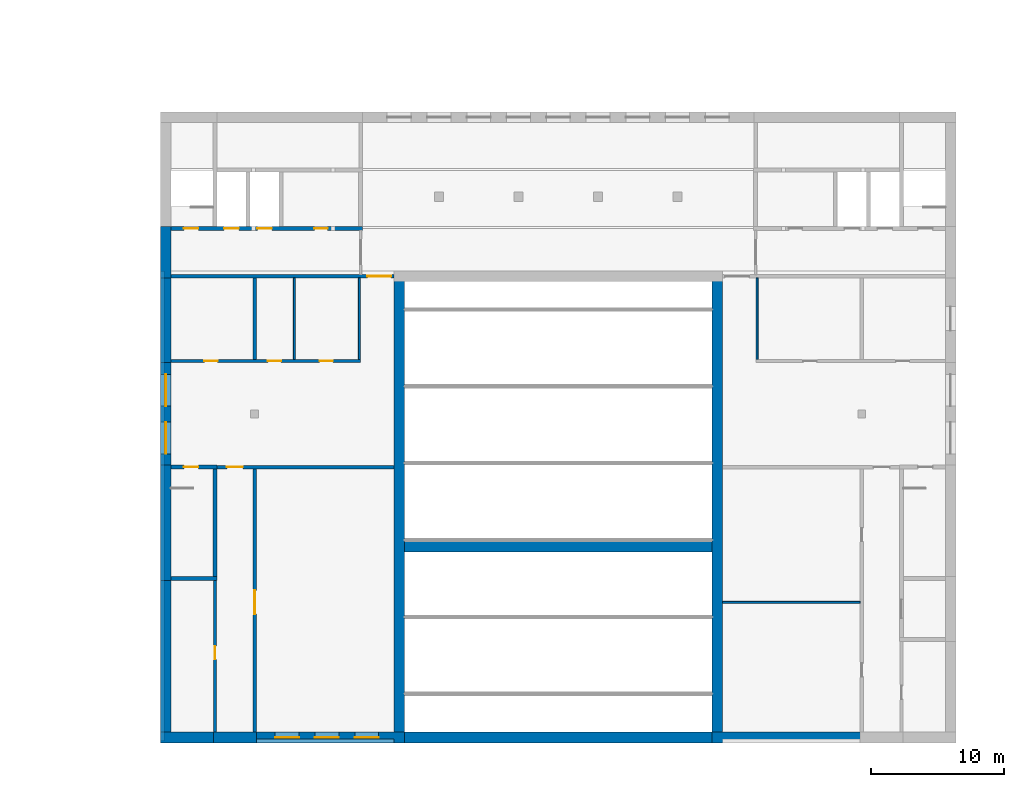
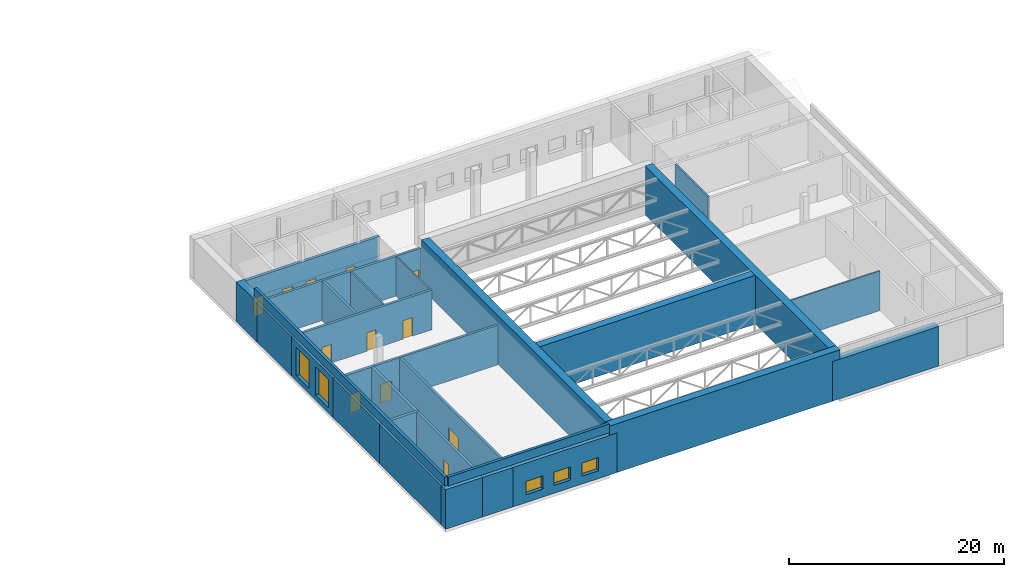
# One storey, part 16 of 35: 29 walls, 12 doors, 5 windows, 17 openings.
"""IFC4 building model written with IfcOpenShell, lengths in metres."""

from ifc_helpers import new_model, si_unit, direction, frame, frame_2d, origin, place, context, subcontext, project, spatial, rectangle, extrude, material, layer, layer_set, type_object, element, fill, save


model = new_model("IFC4")

# Units and contexts
model_context = context("Model", 3, precision=1e-05, world=origin(), true_north=direction((0.0, 1.0)))
body_context = subcontext(model_context, "Body", "Model", "MODEL_VIEW")
ifc_project = project(units=[si_unit("LENGTHUNIT", "METRE"), si_unit("AREAUNIT", "SQUARE_METRE"), si_unit("VOLUMEUNIT", "CUBIC_METRE"), si_unit("PLANEANGLEUNIT", "RADIAN"), si_unit("MASSUNIT", "GRAM", prefix="KILO")], contexts=[model_context])

# Site, building, storey
site_placement = place(None, origin())
site = spatial("IfcSite", under=ifc_project, at=site_placement, CompositionType="ELEMENT")
building_placement = place(site_placement, origin())
building = spatial("IfcBuilding", under=site, at=building_placement, Name="Kiln Ring Residences", CompositionType="ELEMENT")
storey_placement = place(building_placement, frame((0.0, 0.0, 20.89990234375)))
storey = spatial("IfcBuildingStorey", under=building, at=storey_placement, Name="L04", CompositionType="ELEMENT", Elevation=20.89990234375)

# Walls
ifc_material_1 = material(Name="Concrete C40/50", Category="concrete")
ifc_layer_1 = layer(ifc_material_1, 0.800048828125)
ifc_layer_set_1 = layer_set([ifc_layer_1], Name="Hall Board-marked concrete C40/50 hall wall 800")
wall_type_1 = type_object("IfcWallType", Name="Hall Board-marked concrete C40/50 hall wall 800", PredefinedType="SOLIDWALL", material=ifc_layer_set_1)
wall_1_placement = place(storey_placement, frame((-12.39990234375, -159.60009765625, 0.0), z_axis=(0.0, 0.0, 1.0), x_axis=(1.0, 0.0, 0.0)))
element("IfcWall", 1, at=wall_1_placement, inside=storey, type_object=wall_type_1, Name="Hall wall L04 4", PredefinedType="SOLIDWALL", context=body_context, shape_type="SweptSolid", body=[
    extrude(rectangle(XDim=24.7998046875, YDim=0.800048828125, at=frame_2d((12.39990234375, 0.0))), origin(), (0.0, 0.0, 1.0), 5.550048828125),
])
ifc_material_2 = material(Name="Concrete C40/50", Category="concrete")
ifc_layer_2 = layer(ifc_material_2, 0.800048828125)
ifc_layer_set_2 = layer_set([ifc_layer_2], Name="Hall Board-marked concrete C40/50 hall wall 800 internal")
wall_type_2 = type_object("IfcWallType", Name="Hall Board-marked concrete C40/50 hall wall 800 internal", PredefinedType="SOLIDWALL", material=ifc_layer_set_2)
wall_2_placement = place(storey_placement, frame((-11.60009765625, -145.199951171875, 0.0), z_axis=(0.0, 0.0, 1.0), x_axis=(1.0, 0.0, 0.0)))
element("IfcWall", 2, at=wall_2_placement, inside=storey, type_object=wall_type_2, Name="Hall wall L04 12", PredefinedType="SOLIDWALL", context=body_context, shape_type="SweptSolid", body=[
    extrude(rectangle(XDim=23.2001953125, YDim=0.800048828125, at=frame_2d((11.60009765625, 0.0))), origin(), (0.0, 0.0, 1.0), 5.550048828125),
])
for number, where, z_axis, x_axis, name in (
    (3, (-12.0, -159.199951171875, 0.0), (0.0, 0.0, 1.0), (0.0, 1.0, 0.0), "Hall wall L04 49"),
    (4, (12.0, -159.199951171875, 0.0), (0.0, 0.0, 1.0), (0.0, 1.0, 0.0), "Hall wall L04 50"),
):
    element("IfcWall", number, at=place(storey_placement, frame(where, z_axis=z_axis, x_axis=x_axis)), inside=storey, type_object=wall_type_2, Name=name, PredefinedType="SOLIDWALL", context=body_context, shape_type="SweptSolid", body=[
        extrude(rectangle(XDim=34.125, YDim=0.800048828125, at=frame_2d((17.0625, 0.0))), origin(), (0.0, 0.0, 1.0), 5.550048828125),
    ])
ifc_material_3 = material(Name="Concrete C40/50", Category="concrete")
ifc_layer_3 = layer(ifc_material_3, 0.800048828125)
ifc_layer_set_3 = layer_set([ifc_layer_3], Name="Hall Exposed brick-faced reinforced concrete C40/50 wall 800")
wall_type_3 = type_object("IfcWallType", Name="Hall Exposed brick-faced reinforced concrete C40/50 wall 800", PredefinedType="SOLIDWALL", material=ifc_layer_set_3)
wall_3_placement = place(storey_placement, frame((-30.0, -159.60009765625, 0.0), z_axis=(0.0, 0.0, 1.0), x_axis=(1.0, 0.0, 0.0)))
element("IfcWall", 5, at=wall_3_placement, inside=storey, type_object=wall_type_3, Name="Hall wall L04 1", PredefinedType="SOLIDWALL", context=body_context, shape_type="SweptSolid", body=[
    extrude(rectangle(XDim=4.224853515625, YDim=0.800048828125, at=frame_2d((2.1123046875, 0.0))), origin(), (0.0, 0.0, 1.0), 4.5),
])
wall_4_placement = place(storey_placement, frame((-26.02490234375, -159.60009765625, 0.0), z_axis=(0.0, 0.0, 1.0), x_axis=(1.0, 0.0, 0.0)))
element("IfcWall", 6, at=wall_4_placement, inside=storey, type_object=wall_type_3, Name="Hall wall L04 2", PredefinedType="SOLIDWALL", context=body_context, shape_type="SweptSolid", body=[
    extrude(rectangle(XDim=3.249755859375, YDim=0.800048828125, at=frame_2d((1.625, 0.0))), origin(), (0.0, 0.0, 1.0), 4.5),
])

# Wall, openings, windows
wall_5_placement = place(storey_placement, frame((-23.02490234375, -159.60009765625, 0.0), z_axis=(0.0, 0.0, 1.0), x_axis=(1.0, 0.0, 0.0)))
wall_5 = element("IfcWall", 7, at=wall_5_placement, inside=storey, type_object=wall_type_3, Name="Hall wall L04 3", PredefinedType="SOLIDWALL", context=body_context, shape_type="SweptSolid", body=[
    extrude(rectangle(XDim=11.4248046875, YDim=0.800048828125, at=frame_2d((5.71240234375, 0.0))), origin(), (0.0, 0.0, 1.0), 4.5),
])
opening_1_placement = place(wall_5_placement, frame((1.6748046875, 0.0, 0.89990234375)))
opening_1 = element("IfcOpeningElement", 8, at=opening_1_placement, cuts=wall_5, Name="Opening WL04-15", PredefinedType="OPENING", context=body_context, shape_type="SweptSolid", body=[
    extrude(rectangle(XDim=1.800048828125, YDim=1.5, at=frame_2d((0.89990234375, 0.75))), frame((0.0, 0.409912109375, 0.0), z_axis=(0.0, -1.0, 0.0), x_axis=(1.0, 0.0, 0.0)), (0.0, 0.0, 1.0), 0.820068359375),
])
opening_2_placement = place(wall_5_placement, frame((4.6748046875, 0.0, 0.89990234375)))
opening_2 = element("IfcOpeningElement", 9, at=opening_2_placement, cuts=wall_5, Name="Opening WL04-16", PredefinedType="OPENING", context=body_context, shape_type="SweptSolid", body=[
    extrude(rectangle(XDim=1.800048828125, YDim=1.5, at=frame_2d((0.89990234375, 0.75))), frame((0.0, 0.409912109375, 0.0), z_axis=(0.0, -1.0, 0.0), x_axis=(1.0, 0.0, 0.0)), (0.0, 0.0, 1.0), 0.820068359375),
])
opening_3_placement = place(wall_5_placement, frame((7.6748046875, 0.0, 0.89990234375)))
opening_3 = element("IfcOpeningElement", 10, at=opening_3_placement, cuts=wall_5, Name="Opening WL04-17", PredefinedType="OPENING", context=body_context, shape_type="SweptSolid", body=[
    extrude(rectangle(XDim=1.800048828125, YDim=1.5, at=frame_2d((0.89990234375, 0.75))), frame((0.0, 0.409912109375, 0.0), z_axis=(0.0, -1.0, 0.0), x_axis=(1.0, 0.0, 0.0)), (0.0, 0.0, 1.0), 0.820068359375),
])
ifc_material_4 = material(Name="Glazing in aluminium frame", Category="aluminium")
window_type_1 = type_object("IfcWindowType", Name="Hall room window 1800 x 1500", PartitioningType="DOUBLE_PANEL_VERTICAL", PredefinedType="WINDOW", material=ifc_material_4)
window_1_placement = place(opening_1_placement, origin())
window_1 = element("IfcWindow", 11, at=window_1_placement, inside=storey, type_object=window_type_1, Name="Hall window L04-15", OverallHeight=1.5, OverallWidth=1.800048828125, PartitioningType="SINGLE_PANEL", PredefinedType="WINDOW", context=body_context, shape_type="SweptSolid", body=[
    extrude(rectangle(XDim=1.800048828125, YDim=1.5, at=frame_2d((0.89990234375, 0.75))), frame((0.0, 0.030029296875, 0.0), z_axis=(0.0, -1.0, 0.0), x_axis=(1.0, 0.0, 0.0)), (0.0, 0.0, 1.0), 0.06005859375),
])
fill(opening_1, window_1)
window_2_placement = place(opening_2_placement, origin())
window_2 = element("IfcWindow", 12, at=window_2_placement, inside=storey, type_object=window_type_1, Name="Hall window L04-16", OverallHeight=1.5, OverallWidth=1.800048828125, PartitioningType="SINGLE_PANEL", PredefinedType="WINDOW", context=body_context, shape_type="SweptSolid", body=[
    extrude(rectangle(XDim=1.800048828125, YDim=1.5, at=frame_2d((0.89990234375, 0.75))), frame((0.0, 0.030029296875, 0.0), z_axis=(0.0, -1.0, 0.0), x_axis=(1.0, 0.0, 0.0)), (0.0, 0.0, 1.0), 0.06005859375),
])
fill(opening_2, window_2)
window_3_placement = place(opening_3_placement, origin())
window_3 = element("IfcWindow", 13, at=window_3_placement, inside=storey, type_object=window_type_1, Name="Hall window L04-17", OverallHeight=1.5, OverallWidth=1.800048828125, PartitioningType="SINGLE_PANEL", PredefinedType="WINDOW", context=body_context, shape_type="SweptSolid", body=[
    extrude(rectangle(XDim=1.800048828125, YDim=1.5, at=frame_2d((0.89990234375, 0.75))), frame((0.0, 0.030029296875, 0.0), z_axis=(0.0, -1.0, 0.0), x_axis=(1.0, 0.0, 0.0)), (0.0, 0.0, 1.0), 0.06005859375),
])
fill(opening_3, window_3)

# Walls
wall_6_placement = place(storey_placement, frame((11.60009765625, -159.60009765625, 0.0), z_axis=(0.0, 0.0, 1.0), x_axis=(1.0, 0.0, 0.0)))
element("IfcWall", 14, at=wall_6_placement, inside=storey, type_object=wall_type_3, Name="Hall wall L04 5", PredefinedType="SOLIDWALL", context=body_context, shape_type="SweptSolid", body=[
    extrude(rectangle(XDim=11.4248046875, YDim=0.800048828125, at=frame_2d((5.71240234375, 0.0))), origin(), (0.0, 0.0, 1.0), 4.5),
])
wall_7_placement = place(storey_placement, frame((-29.60009765625, -159.199951171875, 0.0), z_axis=(0.0, 0.0, 1.0), x_axis=(0.0, 1.0, 0.0)))
element("IfcWall", 15, at=wall_7_placement, inside=storey, type_object=wall_type_3, Name="Hall wall L04 31", PredefinedType="SOLIDWALL", context=body_context, shape_type="SweptSolid", body=[
    extrude(rectangle(XDim=11.749755859375, YDim=0.800048828125, at=frame_2d((5.875, 0.0))), origin(), (0.0, 0.0, 1.0), 4.5),
])
wall_8_placement = place(storey_placement, frame((-29.60009765625, -147.75, 0.0), z_axis=(0.0, 0.0, 1.0), x_axis=(0.0, 1.0, 0.0)))
element("IfcWall", 16, at=wall_8_placement, inside=storey, type_object=wall_type_3, Name="Hall wall L04 32", PredefinedType="SOLIDWALL", context=body_context, shape_type="SweptSolid", body=[
    extrude(rectangle(XDim=8.699951171875, YDim=0.800048828125, at=frame_2d((4.35009765625, 0.0))), origin(), (0.0, 0.0, 1.0), 4.5),
])

# Wall, openings, windows
wall_9_placement = place(storey_placement, frame((-29.60009765625, -139.349853515625, 0.0), z_axis=(0.0, 0.0, 1.0), x_axis=(0.0, 1.0, 0.0)))
wall_9 = element("IfcWall", 17, at=wall_9_placement, inside=storey, type_object=wall_type_3, Name="Hall wall L04 33", PredefinedType="SOLIDWALL", context=body_context, shape_type="SweptSolid", body=[
    extrude(rectangle(XDim=8.274658203125, YDim=0.800048828125, at=frame_2d((4.13720703125, 0.0))), origin(), (0.0, 0.0, 1.0), 4.5),
])
opening_4_placement = place(wall_9_placement, frame((1.14990234375, 0.0, 0.60009765625)))
opening_4 = element("IfcOpeningElement", 18, at=opening_4_placement, cuts=wall_9, Name="Opening WL04-10", PredefinedType="OPENING", context=body_context, shape_type="SweptSolid", body=[
    extrude(rectangle(XDim=2.39990234375, YDim=3.199951171875, at=frame_2d((1.199951171875, 1.60009765625))), frame((0.0, 0.409912109375, 0.0), z_axis=(0.0, -1.0, 0.0), x_axis=(1.0, 0.0, 0.0)), (0.0, 0.0, 1.0), 0.820068359375),
])
opening_5_placement = place(wall_9_placement, frame((4.75, 0.0, 0.60009765625)))
opening_5 = element("IfcOpeningElement", 19, at=opening_5_placement, cuts=wall_9, Name="Opening WL04-11", PredefinedType="OPENING", context=body_context, shape_type="SweptSolid", body=[
    extrude(rectangle(XDim=2.39990234375, YDim=3.199951171875, at=frame_2d((1.199951171875, 1.60009765625))), frame((0.0, 0.409912109375, 0.0), z_axis=(0.0, -1.0, 0.0), x_axis=(1.0, 0.0, 0.0)), (0.0, 0.0, 1.0), 0.820068359375),
])
ifc_material_5 = material(Name="Glazing in aluminium frame", Category="aluminium")
window_type_2 = type_object("IfcWindowType", Name="Hall foyer window 2400 x 3200", PartitioningType="SINGLE_PANEL", PredefinedType="WINDOW", material=ifc_material_5)
window_4_placement = place(opening_4_placement, origin())
window_4 = element("IfcWindow", 20, at=window_4_placement, inside=storey, type_object=window_type_2, Name="Hall window L04-10", OverallHeight=3.199951171875, OverallWidth=2.39990234375, PartitioningType="SINGLE_PANEL", PredefinedType="WINDOW", context=body_context, shape_type="SweptSolid", body=[
    extrude(rectangle(XDim=2.39990234375, YDim=3.199951171875, at=frame_2d((1.199951171875, 1.60009765625))), frame((0.0, 0.030029296875, 0.0), z_axis=(0.0, -1.0, 0.0), x_axis=(1.0, 0.0, 0.0)), (0.0, 0.0, 1.0), 0.06005859375),
])
fill(opening_4, window_4)
window_5_placement = place(opening_5_placement, origin())
window_5 = element("IfcWindow", 21, at=window_5_placement, inside=storey, type_object=window_type_2, Name="Hall window L04-11", OverallHeight=3.199951171875, OverallWidth=2.39990234375, PartitioningType="SINGLE_PANEL", PredefinedType="WINDOW", context=body_context, shape_type="SweptSolid", body=[
    extrude(rectangle(XDim=2.39990234375, YDim=3.199951171875, at=frame_2d((1.199951171875, 1.60009765625))), frame((0.0, 0.030029296875, 0.0), z_axis=(0.0, -1.0, 0.0), x_axis=(1.0, 0.0, 0.0)), (0.0, 0.0, 1.0), 0.06005859375),
])
fill(opening_5, window_5)

# Walls
wall_10_placement = place(storey_placement, frame((-29.60009765625, -131.324951171875, 0.0), z_axis=(0.0, 0.0, 1.0), x_axis=(0.0, 1.0, 0.0)))
element("IfcWall", 22, at=wall_10_placement, inside=storey, type_object=wall_type_3, Name="Hall wall L04 34", PredefinedType="SOLIDWALL", context=body_context, shape_type="SweptSolid", body=[
    extrude(rectangle(XDim=6.64990234375, YDim=0.800048828125, at=frame_2d((3.324951171875, 0.0))), origin(), (0.0, 0.0, 1.0), 4.5),
])
wall_11_placement = place(storey_placement, frame((-29.60009765625, -124.9248046875, 0.0), z_axis=(0.0, 0.0, 1.0), x_axis=(0.0, 1.0, 0.0)))
element("IfcWall", 23, at=wall_11_placement, inside=storey, type_object=wall_type_3, Name="Hall wall L04 35", PredefinedType="SOLIDWALL", context=body_context, shape_type="SweptSolid", body=[
    extrude(rectangle(XDim=3.874755859375, YDim=0.800048828125, at=frame_2d((1.9375, 0.0))), origin(), (0.0, 0.0, 1.0), 4.5),
])
ifc_material_6 = material(Name="Concrete C40/50", Category="concrete")
ifc_layer_4 = layer(ifc_material_6, 0.300048828125)
ifc_layer_set_4 = layer_set([ifc_layer_4], Name="Hall Reinforced concrete C40/50 core wall 300")
wall_type_4 = type_object("IfcWallType", Name="Hall Reinforced concrete C40/50 core wall 300", PredefinedType="SOLIDWALL", material=ifc_layer_set_4)
wall_12_placement = place(storey_placement, frame((-29.199951171875, -147.60009765625, 0.0), z_axis=(0.0, 0.0, 1.0), x_axis=(1.0, 0.0, 0.0)))
element("IfcWall", 24, at=wall_12_placement, inside=storey, type_object=wall_type_4, Name="Hall wall L04 10", PredefinedType="SOLIDWALL", context=body_context, shape_type="SweptSolid", body=[
    extrude(rectangle(XDim=3.449951171875, YDim=0.300048828125, at=frame_2d((1.72509765625, 0.0))), origin(), (0.0, 0.0, 1.0), 4.5),
])

# Wall, opening, door
wall_13_placement = place(storey_placement, frame((-29.199951171875, -139.199951171875, 0.0), z_axis=(0.0, 0.0, 1.0), x_axis=(1.0, 0.0, 0.0)))
wall_13 = element("IfcWall", 25, at=wall_13_placement, inside=storey, type_object=wall_type_4, Name="Hall wall L04 13", PredefinedType="SOLIDWALL", context=body_context, shape_type="SweptSolid", body=[
    extrude(rectangle(XDim=3.449951171875, YDim=0.300048828125, at=frame_2d((1.72509765625, 0.0))), origin(), (0.0, 0.0, 1.0), 4.5),
])
opening_6_placement = place(wall_13_placement, frame((0.949951171875, 0.0, 0.0)))
opening_6 = element("IfcOpeningElement", 26, at=opening_6_placement, cuts=wall_13, Name="Opening L04-08", PredefinedType="OPENING", context=body_context, shape_type="SweptSolid", body=[
    extrude(rectangle(XDim=1.10009765625, YDim=2.10009765625, at=frame_2d((0.550048828125, 1.050048828125))), frame((0.0, 0.159912109375, 0.0), z_axis=(0.0, -1.0, 0.0), x_axis=(1.0, 0.0, 0.0)), (0.0, 0.0, 1.0), 0.320068359375),
])
ifc_material_7 = material(Name="Steel door leaf", Category="steel")
door_type_1 = type_object("IfcDoorType", Name="Hall Stair door 1100 x 2100", OperationType="SINGLE_SWING_LEFT", PredefinedType="DOOR", material=ifc_material_7)
door_1_placement = place(opening_6_placement, origin())
door_1 = element("IfcDoor", 27, at=door_1_placement, inside=storey, type_object=door_type_1, Name="Hall door L04-08", OperationType="SINGLE_SWING_RIGHT", OverallHeight=2.10009765625, OverallWidth=1.10009765625, PredefinedType="DOOR", context=body_context, shape_type="SweptSolid", body=[
    extrude(rectangle(XDim=1.10009765625, YDim=2.10009765625, at=frame_2d((0.550048828125, 1.050048828125))), frame((0.0, 0.02490234375, 0.0), z_axis=(0.0, -1.0, 0.0), x_axis=(1.0, 0.0, 0.0)), (0.0, 0.0, 1.0), 0.050048828125),
])
fill(opening_6, door_1)

# Wall, openings, doors
wall_14_placement = place(storey_placement, frame((-29.199951171875, -121.199951171875, 0.0), z_axis=(0.0, 0.0, 1.0), x_axis=(1.0, 0.0, 0.0)))
wall_14 = element("IfcWall", 28, at=wall_14_placement, inside=storey, type_object=wall_type_4, Name="Hall wall L04 22", PredefinedType="SOLIDWALL", context=body_context, shape_type="SweptSolid", body=[
    extrude(rectangle(XDim=14.449951171875, YDim=0.300048828125, at=frame_2d((7.22509765625, 0.0))), origin(), (0.0, 0.0, 1.0), 4.5),
])
opening_7_placement = place(wall_14_placement, frame((4.0, 0.0, 0.0)))
opening_7 = element("IfcOpeningElement", 29, at=opening_7_placement, cuts=wall_14, Name="Opening L04-01", PredefinedType="OPENING", context=body_context, shape_type="SweptSolid", body=[
    extrude(rectangle(XDim=1.10009765625, YDim=2.10009765625, at=frame_2d((0.550048828125, 1.050048828125))), frame((0.0, 0.159912109375, 0.0), z_axis=(0.0, -1.0, 0.0), x_axis=(1.0, 0.0, 0.0)), (0.0, 0.0, 1.0), 0.320068359375),
])
opening_8_placement = place(wall_14_placement, frame((6.5, 0.0, 0.0)))
opening_8 = element("IfcOpeningElement", 30, at=opening_8_placement, cuts=wall_14, Name="Opening L04-02", PredefinedType="OPENING", context=body_context, shape_type="SweptSolid", body=[
    extrude(rectangle(XDim=1.10009765625, YDim=2.10009765625, at=frame_2d((0.550048828125, 1.050048828125))), frame((0.0, 0.159912109375, 0.0), z_axis=(0.0, -1.0, 0.0), x_axis=(1.0, 0.0, 0.0)), (0.0, 0.0, 1.0), 0.320068359375),
])
opening_9_placement = place(wall_14_placement, frame((0.949951171875, 0.0, 0.0)))
opening_9 = element("IfcOpeningElement", 31, at=opening_9_placement, cuts=wall_14, Name="Opening L04-06", PredefinedType="OPENING", context=body_context, shape_type="SweptSolid", body=[
    extrude(rectangle(XDim=1.10009765625, YDim=2.10009765625, at=frame_2d((0.550048828125, 1.050048828125))), frame((0.0, 0.159912109375, 0.0), z_axis=(0.0, -1.0, 0.0), x_axis=(1.0, 0.0, 0.0)), (0.0, 0.0, 1.0), 0.320068359375),
])
opening_10_placement = place(wall_14_placement, frame((10.800048828125, 0.0, 0.0)))
opening_10 = element("IfcOpeningElement", 32, at=opening_10_placement, cuts=wall_14, Name="Opening L04-10", PredefinedType="OPENING", context=body_context, shape_type="SweptSolid", body=[
    extrude(rectangle(XDim=1.0, YDim=2.10009765625, at=frame_2d((0.5, 1.050048828125))), frame((0.0, 0.159912109375, 0.0), z_axis=(0.0, -1.0, 0.0), x_axis=(1.0, 0.0, 0.0)), (0.0, 0.0, 1.0), 0.320068359375),
])
ifc_material_8 = material(Name="Steel door leaf", Category="steel")
door_type_2 = type_object("IfcDoorType", Name="Hall Lift landing door 1100 x 2100", OperationType="DOUBLE_DOOR_SLIDING", PredefinedType="DOOR", material=ifc_material_8)
door_2_placement = place(opening_7_placement, origin())
door_2 = element("IfcDoor", 33, at=door_2_placement, inside=storey, type_object=door_type_2, Name="Hall door L04-01", OperationType="DOUBLE_DOOR_SLIDING", OverallHeight=2.10009765625, OverallWidth=1.10009765625, PredefinedType="DOOR", context=body_context, shape_type="SweptSolid", body=[
    extrude(rectangle(XDim=1.10009765625, YDim=2.10009765625, at=frame_2d((0.550048828125, 1.050048828125))), frame((0.0, 0.02490234375, 0.0), z_axis=(0.0, -1.0, 0.0), x_axis=(1.0, 0.0, 0.0)), (0.0, 0.0, 1.0), 0.050048828125),
])
fill(opening_7, door_2)
door_3_placement = place(opening_8_placement, origin())
door_3 = element("IfcDoor", 34, at=door_3_placement, inside=storey, type_object=door_type_2, Name="Hall door L04-02", OperationType="DOUBLE_DOOR_SLIDING", OverallHeight=2.10009765625, OverallWidth=1.10009765625, PredefinedType="DOOR", context=body_context, shape_type="SweptSolid", body=[
    extrude(rectangle(XDim=1.10009765625, YDim=2.10009765625, at=frame_2d((0.550048828125, 1.050048828125))), frame((0.0, 0.02490234375, 0.0), z_axis=(0.0, -1.0, 0.0), x_axis=(1.0, 0.0, 0.0)), (0.0, 0.0, 1.0), 0.050048828125),
])
fill(opening_8, door_3)
ifc_material_9 = material(Name="Steel door leaf", Category="steel")
door_type_3 = type_object("IfcDoorType", Name="Hall Single door 1000 x 2100", OperationType="SINGLE_SWING_LEFT", PredefinedType="DOOR", material=ifc_material_9)
door_4_placement = place(opening_10_placement, origin())
door_4 = element("IfcDoor", 35, at=door_4_placement, inside=storey, type_object=door_type_3, Name="Hall door L04-10", OperationType="SINGLE_SWING_RIGHT", OverallHeight=2.10009765625, OverallWidth=1.0, PredefinedType="DOOR", context=body_context, shape_type="SweptSolid", body=[
    extrude(rectangle(XDim=1.0, YDim=2.10009765625, at=frame_2d((0.5, 1.050048828125))), frame((0.0, 0.02490234375, 0.0), z_axis=(0.0, -1.0, 0.0), x_axis=(1.0, 0.0, 0.0)), (0.0, 0.0, 1.0), 0.050048828125),
])
fill(opening_10, door_4)
door_5_placement = place(opening_9_placement, origin())
door_5 = element("IfcDoor", 36, at=door_5_placement, inside=storey, type_object=door_type_1, Name="Hall door L04-06", OperationType="SINGLE_SWING_RIGHT", OverallHeight=2.10009765625, OverallWidth=1.10009765625, PredefinedType="DOOR", context=body_context, shape_type="SweptSolid", body=[
    extrude(rectangle(XDim=1.10009765625, YDim=2.10009765625, at=frame_2d((0.550048828125, 1.050048828125))), frame((0.0, 0.02490234375, 0.0), z_axis=(0.0, -1.0, 0.0), x_axis=(1.0, 0.0, 0.0)), (0.0, 0.0, 1.0), 0.050048828125),
])
fill(opening_9, door_5)

# Wall
wall_15_placement = place(storey_placement, frame((-25.89990234375, -147.449951171875, 0.0), z_axis=(0.0, 0.0, 1.0), x_axis=(0.0, 1.0, 0.0)))
element("IfcWall", 37, at=wall_15_placement, inside=storey, type_object=wall_type_4, Name="Hall wall L04 38", PredefinedType="SOLIDWALL", context=body_context, shape_type="SweptSolid", body=[
    extrude(rectangle(XDim=8.224853515625, YDim=0.300048828125, at=frame_2d((4.1123046875, 0.0))), origin(), (0.0, 0.0, 1.0), 4.5),
])

# Wall, opening, door
ifc_material_10 = material(Name="Concrete C40/50", Category="concrete")
ifc_layer_5 = layer(ifc_material_10, 0.25)
ifc_layer_set_5 = layer_set([ifc_layer_5], Name="Hall Reinforced concrete C40/50 wall 250")
wall_type_5 = type_object("IfcWallType", Name="Hall Reinforced concrete C40/50 wall 250", PredefinedType="SOLIDWALL", material=ifc_layer_set_5)
wall_16_placement = place(storey_placement, frame((-25.75, -139.199951171875, 0.0), z_axis=(0.0, 0.0, 1.0), x_axis=(1.0, 0.0, 0.0)))
wall_16 = element("IfcWall", 38, at=wall_16_placement, inside=storey, type_object=wall_type_5, Name="Hall wall L04 14", PredefinedType="SOLIDWALL", context=body_context, shape_type="SweptSolid", body=[
    extrude(rectangle(XDim=13.35009765625, YDim=0.25, at=frame_2d((6.675048828125, 0.0))), origin(), (0.0, 0.0, 1.0), 4.5),
])
opening_11_placement = place(wall_16_placement, frame((0.75, 0.0, 0.0)))
opening_11 = element("IfcOpeningElement", 39, at=opening_11_placement, cuts=wall_16, Name="Opening L04-19", PredefinedType="OPENING", context=body_context, shape_type="SweptSolid", body=[
    extrude(rectangle(XDim=1.199951171875, YDim=2.10009765625, at=frame_2d((0.60009765625, 1.050048828125))), frame((0.0, 0.135009765625, 0.0), z_axis=(0.0, -1.0, 0.0), x_axis=(1.0, 0.0, 0.0)), (0.0, 0.0, 1.0), 0.27001953125),
])
ifc_material_11 = material(Name="Steel door leaf", Category="steel")
door_type_4 = type_object("IfcDoorType", Name="Hall Single door 1200 x 2100", OperationType="SINGLE_SWING_LEFT", PredefinedType="DOOR", material=ifc_material_11)
door_6_placement = place(opening_11_placement, origin())
door_6 = element("IfcDoor", 40, at=door_6_placement, inside=storey, type_object=door_type_4, Name="Hall door L04-19", OperationType="SINGLE_SWING_LEFT", OverallHeight=2.10009765625, OverallWidth=1.199951171875, PredefinedType="DOOR", context=body_context, shape_type="SweptSolid", body=[
    extrude(rectangle(XDim=1.199951171875, YDim=2.10009765625, at=frame_2d((0.60009765625, 1.050048828125))), frame((0.0, 0.02490234375, 0.0), z_axis=(0.0, -1.0, 0.0), x_axis=(1.0, 0.0, 0.0)), (0.0, 0.0, 1.0), 0.050048828125),
])
fill(opening_11, door_6)

# Wall, openings, doors
wall_17_placement = place(storey_placement, frame((-29.199951171875, -131.199951171875, 0.0), z_axis=(0.0, 0.0, 1.0), x_axis=(1.0, 0.0, 0.0)))
wall_17 = element("IfcWall", 41, at=wall_17_placement, inside=storey, type_object=wall_type_5, Name="Hall wall L04 17", PredefinedType="SOLIDWALL", context=body_context, shape_type="SweptSolid", body=[
    extrude(rectangle(XDim=14.27490234375, YDim=0.25, at=frame_2d((7.137451171875, 0.0))), origin(), (0.0, 0.0, 1.0), 4.5),
])
opening_12_placement = place(wall_17_placement, frame((2.5, 0.0, 0.0)))
opening_12 = element("IfcOpeningElement", 42, at=opening_12_placement, cuts=wall_17, Name="Opening L04-16", PredefinedType="OPENING", context=body_context, shape_type="SweptSolid", body=[
    extrude(rectangle(XDim=1.0, YDim=2.10009765625, at=frame_2d((0.5, 1.050048828125))), frame((0.0, 0.135009765625, 0.0), z_axis=(0.0, -1.0, 0.0), x_axis=(1.0, 0.0, 0.0)), (0.0, 0.0, 1.0), 0.27001953125),
])
opening_13_placement = place(wall_17_placement, frame((7.300048828125, 0.0, 0.0)))
opening_13 = element("IfcOpeningElement", 43, at=opening_13_placement, cuts=wall_17, Name="Opening L04-17", PredefinedType="OPENING", context=body_context, shape_type="SweptSolid", body=[
    extrude(rectangle(XDim=1.0, YDim=2.10009765625, at=frame_2d((0.5, 1.050048828125))), frame((0.0, 0.135009765625, 0.0), z_axis=(0.0, -1.0, 0.0), x_axis=(1.0, 0.0, 0.0)), (0.0, 0.0, 1.0), 0.27001953125),
])
opening_14_placement = place(wall_17_placement, frame((11.199951171875, 0.0, 0.0)))
opening_14 = element("IfcOpeningElement", 44, at=opening_14_placement, cuts=wall_17, Name="Opening L04-18", PredefinedType="OPENING", context=body_context, shape_type="SweptSolid", body=[
    extrude(rectangle(XDim=1.0, YDim=2.10009765625, at=frame_2d((0.5, 1.050048828125))), frame((0.0, 0.135009765625, 0.0), z_axis=(0.0, -1.0, 0.0), x_axis=(1.0, 0.0, 0.0)), (0.0, 0.0, 1.0), 0.27001953125),
])
door_7_placement = place(opening_12_placement, origin())
door_7 = element("IfcDoor", 45, at=door_7_placement, inside=storey, type_object=door_type_3, Name="Hall door L04-16", OperationType="SINGLE_SWING_RIGHT", OverallHeight=2.10009765625, OverallWidth=1.0, PredefinedType="DOOR", context=body_context, shape_type="SweptSolid", body=[
    extrude(rectangle(XDim=1.0, YDim=2.10009765625, at=frame_2d((0.5, 1.050048828125))), frame((0.0, 0.02490234375, 0.0), z_axis=(0.0, -1.0, 0.0), x_axis=(1.0, 0.0, 0.0)), (0.0, 0.0, 1.0), 0.050048828125),
])
fill(opening_12, door_7)
door_8_placement = place(opening_13_placement, origin())
door_8 = element("IfcDoor", 46, at=door_8_placement, inside=storey, type_object=door_type_3, Name="Hall door L04-17", OperationType="SINGLE_SWING_LEFT", OverallHeight=2.10009765625, OverallWidth=1.0, PredefinedType="DOOR", context=body_context, shape_type="SweptSolid", body=[
    extrude(rectangle(XDim=1.0, YDim=2.10009765625, at=frame_2d((0.5, 1.050048828125))), frame((0.0, 0.02490234375, 0.0), z_axis=(0.0, -1.0, 0.0), x_axis=(1.0, 0.0, 0.0)), (0.0, 0.0, 1.0), 0.050048828125),
])
fill(opening_13, door_8)
door_9_placement = place(opening_14_placement, origin())
door_9 = element("IfcDoor", 47, at=door_9_placement, inside=storey, type_object=door_type_3, Name="Hall door L04-18", OperationType="SINGLE_SWING_RIGHT", OverallHeight=2.10009765625, OverallWidth=1.0, PredefinedType="DOOR", context=body_context, shape_type="SweptSolid", body=[
    extrude(rectangle(XDim=1.0, YDim=2.10009765625, at=frame_2d((0.5, 1.050048828125))), frame((0.0, 0.02490234375, 0.0), z_axis=(0.0, -1.0, 0.0), x_axis=(1.0, 0.0, 0.0)), (0.0, 0.0, 1.0), 0.050048828125),
])
fill(opening_14, door_9)

# Wall, opening, door
wall_18_placement = place(storey_placement, frame((-29.199951171875, -124.800048828125, 0.0), z_axis=(0.0, 0.0, 1.0), x_axis=(1.0, 0.0, 0.0)))
wall_18 = element("IfcWall", 48, at=wall_18_placement, inside=storey, type_object=wall_type_5, Name="Hall wall L04 19", PredefinedType="SOLIDWALL", context=body_context, shape_type="SweptSolid", body=[
    extrude(rectangle(XDim=16.800048828125, YDim=0.25, at=frame_2d((8.39990234375, 0.0))), origin(), (0.0, 0.0, 1.0), 4.5),
])
opening_15_placement = place(wall_18_placement, frame((14.800048828125, 0.0, 0.0)))
opening_15 = element("IfcOpeningElement", 49, at=opening_15_placement, cuts=wall_18, Name="Opening L04-14", PredefinedType="OPENING", context=body_context, shape_type="SweptSolid", body=[
    extrude(rectangle(XDim=1.800048828125, YDim=2.10009765625, at=frame_2d((0.89990234375, 1.050048828125))), frame((0.0, 0.135009765625, 0.0), z_axis=(0.0, -1.0, 0.0), x_axis=(1.0, 0.0, 0.0)), (0.0, 0.0, 1.0), 0.27001953125),
])
ifc_material_12 = material(Name="Steel door leaf", Category="steel")
door_type_5 = type_object("IfcDoorType", Name="Hall Double door 1800 x 2100", OperationType="DOUBLE_DOOR_SINGLE_SWING", PredefinedType="DOOR", material=ifc_material_12)
door_10_placement = place(opening_15_placement, origin())
door_10 = element("IfcDoor", 50, at=door_10_placement, inside=storey, type_object=door_type_5, Name="Hall door L04-14", OperationType="DOUBLE_DOOR_SINGLE_SWING", OverallHeight=2.10009765625, OverallWidth=1.800048828125, PredefinedType="DOOR", context=body_context, shape_type="SweptSolid", body=[
    extrude(rectangle(XDim=1.800048828125, YDim=2.10009765625, at=frame_2d((0.89990234375, 1.050048828125))), frame((0.0, 0.02490234375, 0.0), z_axis=(0.0, -1.0, 0.0), x_axis=(1.0, 0.0, 0.0)), (0.0, 0.0, 1.0), 0.050048828125),
])
fill(opening_15, door_10)

wall_19_placement = place(storey_placement, frame((-25.89990234375, -159.199951171875, 0.0), z_axis=(0.0, 0.0, 1.0), x_axis=(0.0, 1.0, 0.0)))
wall_19 = element("IfcWall", 51, at=wall_19_placement, inside=storey, type_object=wall_type_5, Name="Hall wall L04 37", PredefinedType="SOLIDWALL", context=body_context, shape_type="SweptSolid", body=[
    extrude(rectangle(XDim=11.449951171875, YDim=0.25, at=frame_2d((5.72509765625, 0.0))), origin(), (0.0, 0.0, 1.0), 4.5),
])
opening_16_placement = place(wall_19_placement, frame((5.5, 0.0, 0.0)))
opening_16 = element("IfcOpeningElement", 52, at=opening_16_placement, cuts=wall_19, Name="Opening L04-22", PredefinedType="OPENING", context=body_context, shape_type="SweptSolid", body=[
    extrude(rectangle(XDim=1.0, YDim=2.10009765625, at=frame_2d((0.5, 1.050048828125))), frame((0.0, 0.135009765625, 0.0), z_axis=(0.0, -1.0, 0.0), x_axis=(1.0, 0.0, 0.0)), (0.0, 0.0, 1.0), 0.27001953125),
])
door_11_placement = place(opening_16_placement, origin())
door_11 = element("IfcDoor", 53, at=door_11_placement, inside=storey, type_object=door_type_3, Name="Hall door L04-22", OperationType="SINGLE_SWING_RIGHT", OverallHeight=2.10009765625, OverallWidth=1.0, PredefinedType="DOOR", context=body_context, shape_type="SweptSolid", body=[
    extrude(rectangle(XDim=1.0, YDim=2.10009765625, at=frame_2d((0.5, 1.050048828125))), frame((0.0, 0.02490234375, 0.0), z_axis=(0.0, -1.0, 0.0), x_axis=(1.0, 0.0, 0.0)), (0.0, 0.0, 1.0), 0.050048828125),
])
fill(opening_16, door_11)

wall_20_placement = place(storey_placement, frame((-22.89990234375, -159.199951171875, 0.0), z_axis=(0.0, 0.0, 1.0), x_axis=(0.0, 1.0, 0.0)))
wall_20 = element("IfcWall", 54, at=wall_20_placement, inside=storey, type_object=wall_type_5, Name="Hall wall L04 41", PredefinedType="SOLIDWALL", context=body_context, shape_type="SweptSolid", body=[
    extrude(rectangle(XDim=19.875, YDim=0.25, at=frame_2d((9.9375, 0.0))), origin(), (0.0, 0.0, 1.0), 4.5),
])
opening_17_placement = place(wall_20_placement, frame((8.89990234375, 0.0, 0.0)))
opening_17 = element("IfcOpeningElement", 55, at=opening_17_placement, cuts=wall_20, Name="Opening L04-21", PredefinedType="OPENING", context=body_context, shape_type="SweptSolid", body=[
    extrude(rectangle(XDim=1.800048828125, YDim=2.10009765625, at=frame_2d((0.89990234375, 1.050048828125))), frame((0.0, 0.135009765625, 0.0), z_axis=(0.0, -1.0, 0.0), x_axis=(1.0, 0.0, 0.0)), (0.0, 0.0, 1.0), 0.27001953125),
])
door_12_placement = place(opening_17_placement, origin())
door_12 = element("IfcDoor", 56, at=door_12_placement, inside=storey, type_object=door_type_5, Name="Hall door L04-21", OperationType="DOUBLE_DOOR_SINGLE_SWING", OverallHeight=2.10009765625, OverallWidth=1.800048828125, PredefinedType="DOOR", context=body_context, shape_type="SweptSolid", body=[
    extrude(rectangle(XDim=1.800048828125, YDim=2.10009765625, at=frame_2d((0.89990234375, 1.050048828125))), frame((0.0, 0.02490234375, 0.0), z_axis=(0.0, -1.0, 0.0), x_axis=(1.0, 0.0, 0.0)), (0.0, 0.0, 1.0), 0.050048828125),
])
fill(opening_17, door_12)

# Walls
wall_21_placement = place(storey_placement, frame((-22.89990234375, -131.074951171875, 0.0), z_axis=(0.0, 0.0, 1.0), x_axis=(0.0, 1.0, 0.0)))
element("IfcWall", 57, at=wall_21_placement, inside=storey, type_object=wall_type_5, Name="Hall wall L04 42", PredefinedType="SOLIDWALL", context=body_context, shape_type="SweptSolid", body=[
    extrude(rectangle(XDim=6.14990234375, YDim=0.25, at=frame_2d((3.074951171875, 0.0))), origin(), (0.0, 0.0, 1.0), 4.5),
])
ifc_material_13 = material(Name="Masonry blockwork f'm 10 MPa", Category="masonry")
ifc_layer_6 = layer(ifc_material_13, 0.14990234375)
ifc_layer_set_6 = layer_set([ifc_layer_6], Name="Hall blockwork partition 150")
wall_type_6 = type_object("IfcWallType", Name="Hall blockwork partition 150", PredefinedType="PARTITIONING", material=ifc_layer_set_6)
wall_22_placement = place(storey_placement, frame((12.39990234375, -149.39990234375, 0.0), z_axis=(0.0, 0.0, 1.0), x_axis=(1.0, 0.0, 0.0)))
element("IfcWall", 58, at=wall_22_placement, inside=storey, type_object=wall_type_6, Name="Hall wall L04 9", PredefinedType="PARTITIONING", context=body_context, shape_type="SweptSolid", body=[
    extrude(rectangle(XDim=10.375, YDim=0.14990234375, at=frame_2d((5.1875, 0.0))), origin(), (0.0, 0.0, 1.0), 4.5),
])
for number, where, z_axis, x_axis, name in (
    (59, (-19.89990234375, -131.074951171875, 0.0), (0.0, 0.0, 1.0), (0.0, 1.0, 0.0), "Hall wall L04 44"),
    (60, (-15.0, -131.074951171875, 0.0), (0.0, 0.0, 1.0), (0.0, 1.0, 0.0), "Hall wall L04 45"),
    (61, (15.0, -131.074951171875, 0.0), (0.0, 0.0, 1.0), (0.0, 1.0, 0.0), "Hall wall L04 54"),
):
    element("IfcWall", number, at=place(storey_placement, frame(where, z_axis=z_axis, x_axis=x_axis)), inside=storey, type_object=wall_type_6, Name=name, PredefinedType="PARTITIONING", context=body_context, shape_type="SweptSolid", body=[
        extrude(rectangle(XDim=6.14990234375, YDim=0.14990234375, at=frame_2d((3.074951171875, 0.0))), origin(), (0.0, 0.0, 1.0), 4.5),
    ])
ifc_material_14 = material(Name="Concrete C40/50", Category="concrete")
ifc_layer_7 = layer(ifc_material_14, 0.300048828125)
ifc_layer_set_7 = layer_set([ifc_layer_7], Name="Hall roof parapet wall 300")
wall_type_7 = type_object("IfcWallType", Name="Hall roof parapet wall 300", PredefinedType="PARAPET", material=ifc_layer_set_7)
wall_23_placement = place(storey_placement, frame((-29.85009765625, -159.85009765625, 4.800048828125), z_axis=(0.0, 0.0, 1.0), x_axis=(0.0, 1.0, 0.0)))
element("IfcWall", 62, at=wall_23_placement, inside=storey, type_object=wall_type_7, Name="Hall roof parapet", PredefinedType="PARAPET", context=body_context, shape_type="SweptSolid", body=[
    extrude(rectangle(XDim=35.4501953125, YDim=0.300048828125, at=frame_2d((17.72509765625, 0.0))), origin(), (0.0, 0.0, 1.0), 1.0),
])
wall_24_placement = place(storey_placement, frame((-29.699951171875, -159.85009765625, 4.800048828125), z_axis=(0.0, 0.0, 1.0), x_axis=(1.0, 0.0, 0.0)))
element("IfcWall", 63, at=wall_24_placement, inside=storey, type_object=wall_type_7, Name="Hall roof parapet", PredefinedType="PARAPET", context=body_context, shape_type="SweptSolid", body=[
    extrude(rectangle(XDim=17.300048828125, YDim=0.300048828125, at=frame_2d((8.64990234375, 0.0))), origin(), (0.0, 0.0, 1.0), 1.0),
])

save(model, "model.ifc")
